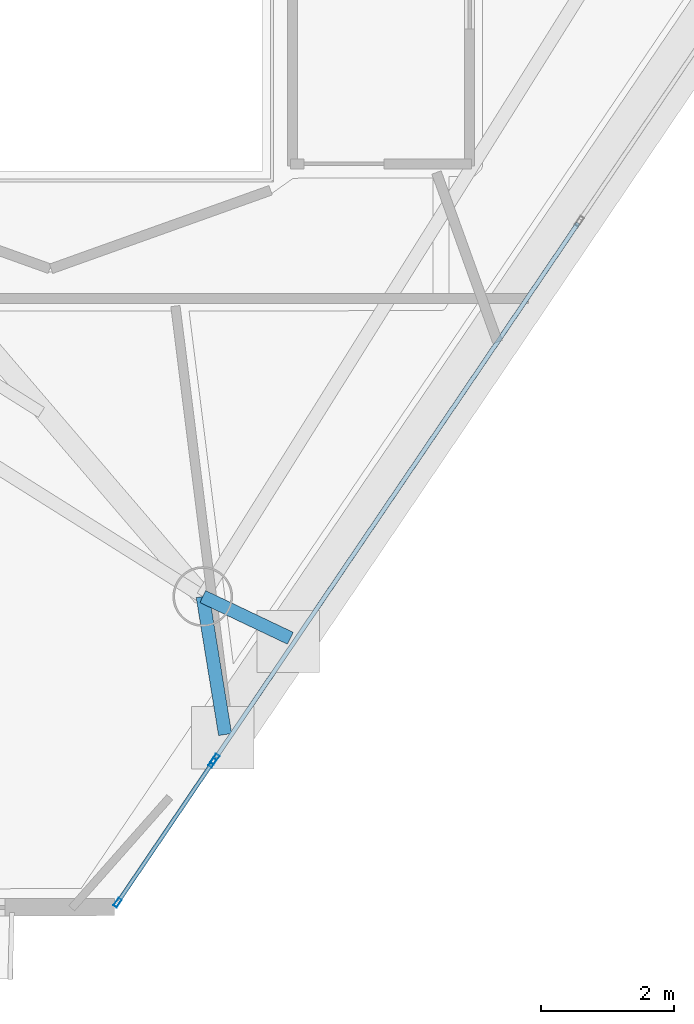
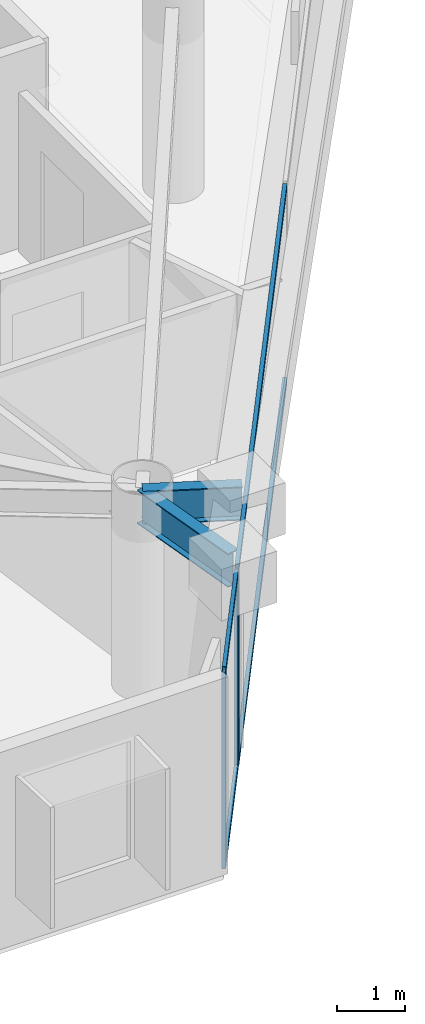
# One storey, part 5 of 23: 7 members, 2 beams, 2 elements without a shape of their own.
"""IFC4 building model written with IfcOpenShell, lengths in metres."""

from ifc_helpers import new_model, si_unit, direction, frame, origin, origin_2d, place, context, subcontext, project, spatial, hollow_rectangle, i_section, extrude, material, layer, layer_set, material_profile, profile_set, type_object, element, aggregate, save


model = new_model("IFC4")

# Units and contexts
model_context = context("Model", 3, precision=1e-05, world=origin(), true_north=direction((0.0, 1.0)))
body_context = subcontext(model_context, "Body", "Model", "MODEL_VIEW")
ifc_project = project(units=[si_unit("LENGTHUNIT", "METRE"), si_unit("AREAUNIT", "SQUARE_METRE"), si_unit("VOLUMEUNIT", "CUBIC_METRE"), si_unit("PLANEANGLEUNIT", "RADIAN"), si_unit("MASSUNIT", "GRAM", prefix="KILO")], contexts=[model_context])

# Site, building, storey
site_placement = place(None, origin())
site = spatial("IfcSite", under=ifc_project, at=site_placement, CompositionType="ELEMENT")
building_placement = place(site_placement, origin())
building = spatial("IfcBuilding", under=site, at=building_placement, Name="Qianvela Tower", CompositionType="ELEMENT")
storey_placement = place(building_placement, frame((0.0, 0.0, 284.300048828125)))
storey = spatial("IfcBuildingStorey", under=building, at=storey_placement, Name="L73", CompositionType="ELEMENT", Elevation=284.300048828125)

# Beams
ifc_material_1 = material(Name="Steel Q355B", Category="steel")
ifc_material_profile_1 = material_profile(ifc_material_1, i_section(OverallWidth=0.199951171875, OverallDepth=0.60009765625, WebThickness=0.010986328125, FlangeThickness=0.01708984375, at=origin_2d()), Name="HN600x200x11x17")
ifc_profile_set_1 = profile_set([ifc_material_profile_1], Name="Steel Q355B")
beam_type = type_object("IfcBeamType", Name="BM-HN600-GIRD", PredefinedType="BEAM", material=ifc_profile_set_1)
beam_1_placement = place(storey_placement, frame((39.095947265625, 11.587890625, 3.218017578125), z_axis=(0.160019283947, -0.987113888447, 0.0), x_axis=(0.987113888447, 0.160019283947, 0.0)))
element("IfcBeam", 1, at=beam_1_placement, inside=storey, type_object=beam_type, Name="L73 Mega-Brace Column Tie Bracket F3-1", PredefinedType="BEAM", context=body_context, shape_type="SweptSolid", body=[
    extrude(i_section(OverallWidth=0.199951171875, OverallDepth=0.60009765625, WebThickness=0.010986328125, FlangeThickness=0.01708984375, at=origin_2d()), origin(), (0.0, 0.0, 1.0), 2.10693359375),
])
beam_2_placement = place(storey_placement, frame((39.095947265625, 11.587890625, 3.218017578125), z_axis=(0.902811140618, -0.430037259288, 0.0), x_axis=(0.430037259288, 0.902811140618, 0.0)))
element("IfcBeam", 2, at=beam_2_placement, inside=storey, type_object=beam_type, Name="L73 Mega-Brace Column Tie Bracket F3-2", PredefinedType="BEAM", context=body_context, shape_type="SweptSolid", body=[
    extrude(i_section(OverallWidth=0.199951171875, OverallDepth=0.60009765625, WebThickness=0.010986328125, FlangeThickness=0.01708984375, at=origin_2d()), origin(), (0.0, 0.0, 1.0), 1.46240234375),
])

# Curtain wall, members
ifc_material_2 = material(Name="Anodised Architectural Aluminium and Insulated Spandrel Panel", Category="aluminium")
ifc_layer_1 = layer(ifc_material_2, 0.179931640625)
ifc_layer_set_1 = layer_set([ifc_layer_1], Name="Anodised Architectural Aluminium and Insulated Spandrel Panel")
curtain_wall_type_1 = type_object("IfcCurtainWallType", Name="CW-BRACEBAY", PredefinedType="USERDEFINED", material=ifc_layer_set_1)
curtain_wall_1_placement = place(storey_placement, origin())
curtain_wall_1 = element("IfcCurtainWall", 3, at=curtain_wall_1_placement, inside=storey, type_object=curtain_wall_type_1, Name="L73 CW-BRACEBAY Curtain Wall 06B", ObjectType="CURTAIN_WALL_SYSTEM", PredefinedType="USERDEFINED")
ifc_material_3 = material(Name="Anodised Architectural Aluminium 6063-T6", Category="aluminium")
ifc_material_profile_2 = material_profile(ifc_material_3, hollow_rectangle(XDim=0.06494140625, YDim=0.159912109375, WallThickness=0.0048828125, at=origin_2d()), Name="ALU-MULL-65x160")
ifc_profile_set_2 = profile_set([ifc_material_profile_2], Name="Anodised Architectural Aluminium 6063-T6")
member_type_1 = type_object("IfcMemberType", Name="CW-BRACEBAY-MULL", PredefinedType="MULLION", material=ifc_profile_set_2)
member_1_placement = place(storey_placement, frame((39.27734375, 9.1357421875, 0.0), z_axis=(0.0, 0.0, 1.0), x_axis=(-0.827794797098, 0.561030991922, 0.0)))
member_1 = element("IfcMember", 4, at=member_1_placement, type_object=member_type_1, Name="CW-9 mullion 1", PredefinedType="MULLION", context=body_context, shape_type="SweptSolid", body=[
    extrude(hollow_rectangle(XDim=0.06494140625, YDim=0.159912109375, WallThickness=0.0048828125, at=origin_2d()), origin(), (0.0, 0.0, 1.0), 3.52001953125),
])
ifc_material_4 = material(Name="Anodised Architectural Aluminium 6063-T6", Category="aluminium")
ifc_material_profile_3 = material_profile(ifc_material_4, hollow_rectangle(XDim=0.06494140625, YDim=0.1298828125, WallThickness=0.00439453125, at=origin_2d()), Name="ALU-TRAN-65x130")
ifc_profile_set_3 = profile_set([ifc_material_profile_3], Name="Anodised Architectural Aluminium 6063-T6")
member_type_2 = type_object("IfcMemberType", Name="CW-BRACEBAY-TRAN", PredefinedType="USERDEFINED", material=ifc_profile_set_3)
member_2_placement = place(storey_placement, frame((39.295654296875, 9.16259765625, 0.032470703125), z_axis=(0.56101347847, 0.827806666424, 0.0), x_axis=(-0.827806666424, 0.56101347847, 0.0)))
member_2 = element("IfcMember", 5, at=member_2_placement, type_object=member_type_2, Name="CW-9 transom 1.1", ObjectType="TRANSOM", PredefinedType="USERDEFINED", context=body_context, shape_type="SweptSolid", body=[
    extrude(hollow_rectangle(XDim=0.06494140625, YDim=0.1298828125, WallThickness=0.00439453125, at=origin_2d()), origin(), (0.0, 0.0, 1.0), 9.729248046875),
])
member_3_placement = place(storey_placement, frame((39.295654296875, 9.16259765625, 3.487548828125), z_axis=(0.56101347847, 0.827806666424, 0.0), x_axis=(-0.827806666424, 0.56101347847, 0.0)))
member_3 = element("IfcMember", 6, at=member_3_placement, type_object=member_type_2, Name="CW-9 transom 1.2", ObjectType="TRANSOM", PredefinedType="USERDEFINED", context=body_context, shape_type="SweptSolid", body=[
    extrude(hollow_rectangle(XDim=0.06494140625, YDim=0.1298828125, WallThickness=0.00439453125, at=origin_2d()), origin(), (0.0, 0.0, 1.0), 9.729248046875),
])
aggregate(curtain_wall_1, [member_1, member_2, member_3])

ifc_material_5 = material(Name="Anodised Architectural Aluminium and Low-E Glass", Category="aluminium")
ifc_layer_2 = layer(ifc_material_5, 0.14990234375)
ifc_layer_set_2 = layer_set([ifc_layer_2], Name="Anodised Architectural Aluminium and Low-E Glass")
curtain_wall_type_2 = type_object("IfcCurtainWallType", Name="CW-COLIV-Z78", PredefinedType="USERDEFINED", material=ifc_layer_set_2)
curtain_wall_2_placement = place(storey_placement, origin())
curtain_wall_2 = element("IfcCurtainWall", 7, at=curtain_wall_2_placement, inside=storey, type_object=curtain_wall_type_2, Name="L73 CW-COLIV-Z78 Curtain Wall 06A", ObjectType="CURTAIN_WALL_SYSTEM", PredefinedType="USERDEFINED")
ifc_material_6 = material(Name="Anodised Architectural Aluminium 6063-T6", Category="aluminium")
ifc_material_profile_4 = material_profile(ifc_material_6, hollow_rectangle(XDim=0.06005859375, YDim=0.139892578125, WallThickness=0.00439453125, at=origin_2d()), Name="ALU-MULL-60x140")
ifc_profile_set_4 = profile_set([ifc_material_profile_4], Name="Anodised Architectural Aluminium 6063-T6")
member_type_3 = type_object("IfcMemberType", Name="CW-COLIV-Z78-MULL", PredefinedType="MULLION", material=ifc_profile_set_4)
member_4_placement = place(storey_placement, frame((37.811767578125, 6.97314453125, 0.0), z_axis=(0.0, 0.0, 1.0), x_axis=(-0.827805612979, 0.561015032882, 0.0)))
member_4 = element("IfcMember", 8, at=member_4_placement, type_object=member_type_3, Name="CW-6 mullion 1", PredefinedType="MULLION", context=body_context, shape_type="SweptSolid", body=[
    extrude(hollow_rectangle(XDim=0.06005859375, YDim=0.139892578125, WallThickness=0.00439453125, at=origin_2d()), origin(), (0.0, 0.0, 1.0), 3.52001953125),
])
member_5_placement = place(storey_placement, frame((39.2421875, 9.083984375, 0.0), z_axis=(0.0, 0.0, 1.0), x_axis=(-0.827805612979, 0.561015032882, 0.0)))
member_5 = element("IfcMember", 9, at=member_5_placement, type_object=member_type_3, Name="CW-6 mullion 2", PredefinedType="MULLION", context=body_context, shape_type="SweptSolid", body=[
    extrude(hollow_rectangle(XDim=0.06005859375, YDim=0.139892578125, WallThickness=0.00439453125, at=origin_2d()), origin(), (0.0, 0.0, 1.0), 3.52001953125),
])
ifc_material_7 = material(Name="Anodised Architectural Aluminium 6063-T6", Category="aluminium")
ifc_material_profile_5 = material_profile(ifc_material_7, hollow_rectangle(XDim=0.06005859375, YDim=0.114990234375, WallThickness=0.00390625, at=origin_2d()), Name="ALU-TRAN-60x115")
ifc_profile_set_5 = profile_set([ifc_material_profile_5], Name="Anodised Architectural Aluminium 6063-T6")
member_type_4 = type_object("IfcMemberType", Name="CW-COLIV-Z78-TRAN", PredefinedType="USERDEFINED", material=ifc_profile_set_5)
member_6_placement = place(storey_placement, frame((37.82861328125, 6.998046875, 0.030029296875), z_axis=(0.560952206731, 0.82784818763, 0.0), x_axis=(-0.82784818763, 0.560952206731, 0.0)))
member_6 = element("IfcMember", 10, at=member_6_placement, type_object=member_type_4, Name="CW-6 transom 1.1", ObjectType="TRANSOM", PredefinedType="USERDEFINED", context=body_context, shape_type="SweptSolid", body=[
    extrude(hollow_rectangle(XDim=0.06005859375, YDim=0.114990234375, WallThickness=0.00390625, at=origin_2d()), origin(), (0.0, 0.0, 1.0), 2.489990234375),
])
member_7_placement = place(storey_placement, frame((37.82861328125, 6.998046875, 3.489990234375), z_axis=(0.560952206731, 0.82784818763, 0.0), x_axis=(-0.82784818763, 0.560952206731, 0.0)))
member_7 = element("IfcMember", 11, at=member_7_placement, type_object=member_type_4, Name="CW-6 transom 1.2", ObjectType="TRANSOM", PredefinedType="USERDEFINED", context=body_context, shape_type="SweptSolid", body=[
    extrude(hollow_rectangle(XDim=0.06005859375, YDim=0.114990234375, WallThickness=0.00390625, at=origin_2d()), origin(), (0.0, 0.0, 1.0), 2.489990234375),
])
aggregate(curtain_wall_2, [member_4, member_5, member_6, member_7])

save(model, "model.ifc")
